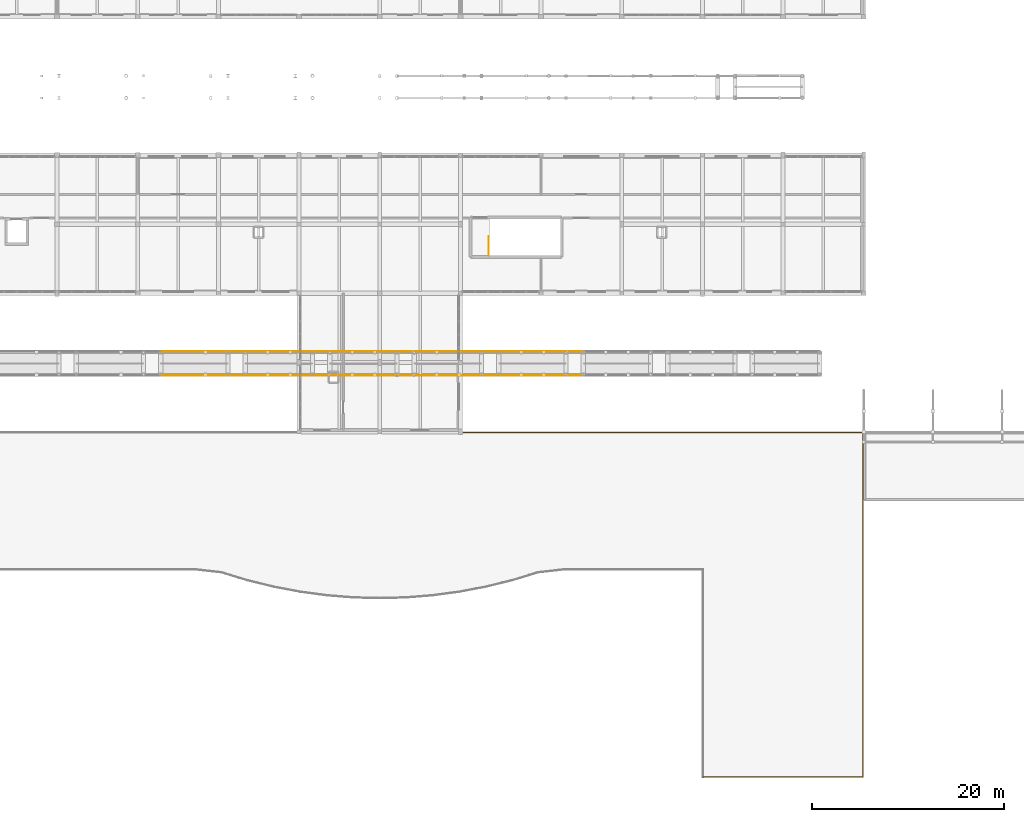
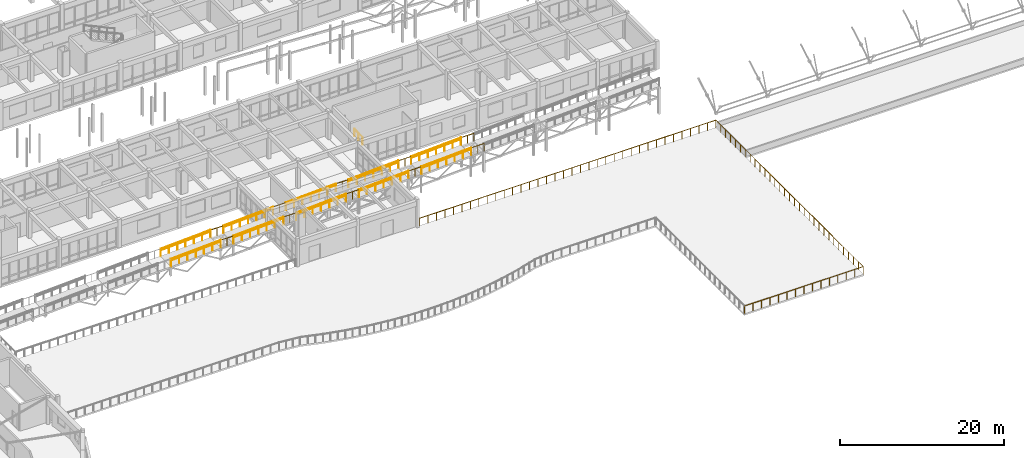
# One storey, part 84 of 90: 32 railings.
"""IFC4 building model written with IfcOpenShell, lengths in metres."""

from ifc_helpers import new_model, si_unit, direction, frame, origin, origin_2d, place, context, subcontext, project, spatial, circle, extrude, material, layer, layer_set, type_object, element, save


model = new_model("IFC4")

# Units and contexts
model_context = context("Model", 3, precision=1e-05, world=origin(), true_north=direction((0.0, 1.0)))
body_context = subcontext(model_context, "Body", "Model", "MODEL_VIEW")
ifc_project = project(units=[si_unit("LENGTHUNIT", "METRE"), si_unit("AREAUNIT", "SQUARE_METRE"), si_unit("VOLUMEUNIT", "CUBIC_METRE"), si_unit("PLANEANGLEUNIT", "RADIAN"), si_unit("MASSUNIT", "GRAM", prefix="KILO")], contexts=[model_context])

# Site, building, storey
site_placement = place(None, origin())
site = spatial("IfcSite", under=ifc_project, at=site_placement, CompositionType="ELEMENT")
building_placement = place(site_placement, origin())
building = spatial("IfcBuilding", under=site, at=building_placement, Name="Malvenik Polytechnic", CompositionType="ELEMENT")
storey_placement = place(building_placement, frame((0.0, 0.0, 9.300048828125)))
storey = spatial("IfcBuildingStorey", under=building, at=storey_placement, Name="L02", CompositionType="ELEMENT", Elevation=9.300048828125)

# Railings
ifc_material_1 = material(Name="Galvanised powder-coated steel and laminated glass guard 1150mm", Category="steel")
ifc_layer_1 = layer(ifc_material_1, 0.070068359375)
ifc_layer_set_1 = layer_set([ifc_layer_1], Name="Galvanised powder-coated steel and laminated glass guard 1150mm")
railing_type_1 = type_object("IfcRailingType", Name="ARC-RL-BAL-1150", PredefinedType="BALUSTRADE", material=ifc_layer_set_1)
for number, where, name in (
    (1, (61.199951171875, 41.860107421875, 1.39990234375), "Ramp Balustrade RB-01 #5S"),
    (2, (61.199951171875, 44.340087890625, 1.39990234375), "Ramp Balustrade RB-01 #5N"),
):
    element("IfcRailing", number, at=place(storey_placement, frame(where)), inside=storey, type_object=railing_type_1, Name=name, PredefinedType="BALUSTRADE", context=body_context, shape_type="SweptSolid", body=[
        extrude(circle(Radius=0.02392578125, at=origin_2d()), frame((0.0, 0.0, 1.1259765625), z_axis=(0.998751643845, 0.0, 0.049951515669), x_axis=(0.0, 1.0, 0.0)), (0.0, 0.0, 1.0), 7.0087890625),
        extrude(circle(Radius=0.02099609375, at=origin_2d()), origin(), (0.0, 0.0, 1.0), 1.101806640625),
        extrude(circle(Radius=0.02099609375, at=origin_2d()), frame((1.166748046875, 0.0, 0.058349609375)), (0.0, 0.0, 1.0), 1.101806640625),
        extrude(circle(Radius=0.02099609375, at=origin_2d()), frame((2.333251953125, 0.0, 0.11669921875)), (0.0, 0.0, 1.0), 1.101806640625),
        extrude(circle(Radius=0.02099609375, at=origin_2d()), frame((3.5, 0.0, 0.175048828125)), (0.0, 0.0, 1.0), 1.101806640625),
        extrude(circle(Radius=0.02099609375, at=origin_2d()), frame((4.666748046875, 0.0, 0.2333984375)), (0.0, 0.0, 1.0), 1.101806640625),
        extrude(circle(Radius=0.02099609375, at=origin_2d()), frame((5.833251953125, 0.0, 0.291748046875)), (0.0, 0.0, 1.0), 1.101806640625),
        extrude(circle(Radius=0.02099609375, at=origin_2d()), frame((7.0, 0.0, 0.35009765625)), (0.0, 0.0, 1.0), 1.101806640625),
    ])
for number, where, name in (
    (3, (68.199951171875, 41.860107421875, 1.75), "Ramp Landing Balustrade RB-01 #5S"),
    (4, (68.199951171875, 44.340087890625, 1.75), "Ramp Landing Balustrade RB-01 #5N"),
):
    element("IfcRailing", number, at=place(storey_placement, frame(where)), inside=storey, type_object=railing_type_1, Name=name, PredefinedType="BALUSTRADE", context=body_context, shape_type="SweptSolid", body=[
        extrude(circle(Radius=0.02392578125, at=origin_2d()), frame((0.0, 0.0, 1.1259765625), z_axis=(1.0, 0.0, 0.0), x_axis=(0.0, 1.0, 0.0)), (0.0, 0.0, 1.0), 1.800048828125),
        extrude(circle(Radius=0.02099609375, at=origin_2d()), origin(), (0.0, 0.0, 1.0), 1.101806640625),
        extrude(circle(Radius=0.02099609375, at=origin_2d()), frame((0.89990234375, 0.0, 0.0)), (0.0, 0.0, 1.0), 1.101806640625),
        extrude(circle(Radius=0.02099609375, at=origin_2d()), frame((1.800048828125, 0.0, 0.0)), (0.0, 0.0, 1.0), 1.101806640625),
    ])
for number, where, name in (
    (5, (70.0, 41.860107421875, 1.75), "Ramp Balustrade RB-01 #6S"),
    (6, (70.0, 44.340087890625, 1.75), "Ramp Balustrade RB-01 #6N"),
):
    element("IfcRailing", number, at=place(storey_placement, frame(where)), inside=storey, type_object=railing_type_1, Name=name, PredefinedType="BALUSTRADE", context=body_context, shape_type="SweptSolid", body=[
        extrude(circle(Radius=0.02392578125, at=origin_2d()), frame((0.0, 0.0, 1.1259765625), z_axis=(0.998753381067, 0.0, 0.049916768801), x_axis=(0.0, 1.0, 0.0)), (0.0, 0.0, 1.0), 7.0087890625),
        extrude(circle(Radius=0.02099609375, at=origin_2d()), origin(), (0.0, 0.0, 1.0), 1.101806640625),
        extrude(circle(Radius=0.02099609375, at=origin_2d()), frame((1.166748046875, 0.0, 0.058349609375)), (0.0, 0.0, 1.0), 1.101806640625),
        extrude(circle(Radius=0.02099609375, at=origin_2d()), frame((2.333251953125, 0.0, 0.11669921875)), (0.0, 0.0, 1.0), 1.101806640625),
        extrude(circle(Radius=0.02099609375, at=origin_2d()), frame((3.5, 0.0, 0.1748046875)), (0.0, 0.0, 1.0), 1.101806640625),
        extrude(circle(Radius=0.02099609375, at=origin_2d()), frame((4.666748046875, 0.0, 0.233154296875)), (0.0, 0.0, 1.0), 1.101806640625),
        extrude(circle(Radius=0.02099609375, at=origin_2d()), frame((5.833251953125, 0.0, 0.29150390625)), (0.0, 0.0, 1.0), 1.101806640625),
        extrude(circle(Radius=0.02099609375, at=origin_2d()), frame((7.0, 0.0, 0.349853515625)), (0.0, 0.0, 1.0), 1.101806640625),
    ])
for number, where, name in (
    (7, (77.0, 41.860107421875, 2.099853515625), "Ramp Landing Balustrade RB-01 #6S"),
    (8, (77.0, 44.340087890625, 2.099853515625), "Ramp Landing Balustrade RB-01 #6N"),
):
    element("IfcRailing", number, at=place(storey_placement, frame(where)), inside=storey, type_object=railing_type_1, Name=name, PredefinedType="BALUSTRADE", context=body_context, shape_type="SweptSolid", body=[
        extrude(circle(Radius=0.02392578125, at=origin_2d()), frame((0.0, 0.0, 1.1259765625), z_axis=(1.0, 0.0, 0.0), x_axis=(0.0, 1.0, 0.0)), (0.0, 0.0, 1.0), 1.800048828125),
        extrude(circle(Radius=0.02099609375, at=origin_2d()), origin(), (0.0, 0.0, 1.0), 1.101806640625),
        extrude(circle(Radius=0.02099609375, at=origin_2d()), frame((0.89990234375, 0.0, 0.0)), (0.0, 0.0, 1.0), 1.101806640625),
        extrude(circle(Radius=0.02099609375, at=origin_2d()), frame((1.800048828125, 0.0, 0.0)), (0.0, 0.0, 1.0), 1.101806640625),
    ])
for number, where, name in (
    (9, (78.800048828125, 41.860107421875, 2.099853515625), "Ramp Balustrade RB-01 #7S"),
    (10, (78.800048828125, 44.340087890625, 2.099853515625), "Ramp Balustrade RB-01 #7N"),
):
    element("IfcRailing", number, at=place(storey_placement, frame(where)), inside=storey, type_object=railing_type_1, Name=name, PredefinedType="BALUSTRADE", context=body_context, shape_type="SweptSolid", body=[
        extrude(circle(Radius=0.02392578125, at=origin_2d()), frame((0.0, 0.0, 1.1259765625), z_axis=(0.998751643845, 0.0, 0.049951515669), x_axis=(0.0, 1.0, 0.0)), (0.0, 0.0, 1.0), 7.0087890625),
        extrude(circle(Radius=0.02099609375, at=origin_2d()), origin(), (0.0, 0.0, 1.0), 1.101806640625),
        extrude(circle(Radius=0.02099609375, at=origin_2d()), frame((1.166748046875, 0.0, 0.058349609375)), (0.0, 0.0, 1.0), 1.101806640625),
        extrude(circle(Radius=0.02099609375, at=origin_2d()), frame((2.333251953125, 0.0, 0.11669921875)), (0.0, 0.0, 1.0), 1.101806640625),
        extrude(circle(Radius=0.02099609375, at=origin_2d()), frame((3.5, 0.0, 0.175048828125)), (0.0, 0.0, 1.0), 1.101806640625),
        extrude(circle(Radius=0.02099609375, at=origin_2d()), frame((4.666748046875, 0.0, 0.2333984375)), (0.0, 0.0, 1.0), 1.101806640625),
        extrude(circle(Radius=0.02099609375, at=origin_2d()), frame((5.833251953125, 0.0, 0.291748046875)), (0.0, 0.0, 1.0), 1.101806640625),
        extrude(circle(Radius=0.02099609375, at=origin_2d()), frame((7.0, 0.0, 0.35009765625)), (0.0, 0.0, 1.0), 1.101806640625),
    ])
for number, where, name in (
    (11, (85.800048828125, 41.860107421875, 2.449951171875), "Ramp Landing Balustrade RB-01 #7S"),
    (12, (85.800048828125, 44.340087890625, 2.449951171875), "Ramp Landing Balustrade RB-01 #7N"),
):
    element("IfcRailing", number, at=place(storey_placement, frame(where)), inside=storey, type_object=railing_type_1, Name=name, PredefinedType="BALUSTRADE", context=body_context, shape_type="SweptSolid", body=[
        extrude(circle(Radius=0.02392578125, at=origin_2d()), frame((0.0, 0.0, 1.1259765625), z_axis=(1.0, 0.0, 0.0), x_axis=(0.0, 1.0, 0.0)), (0.0, 0.0, 1.0), 1.800048828125),
        extrude(circle(Radius=0.02099609375, at=origin_2d()), origin(), (0.0, 0.0, 1.0), 1.101806640625),
        extrude(circle(Radius=0.02099609375, at=origin_2d()), frame((0.89990234375, 0.0, 0.0)), (0.0, 0.0, 1.0), 1.101806640625),
        extrude(circle(Radius=0.02099609375, at=origin_2d()), frame((1.800048828125, 0.0, 0.0)), (0.0, 0.0, 1.0), 1.101806640625),
    ])
for number, where, name in (
    (13, (87.60009765625, 41.860107421875, 2.449951171875), "Ramp Balustrade RB-01 #8S"),
    (14, (87.60009765625, 44.340087890625, 2.449951171875), "Ramp Balustrade RB-01 #8N"),
):
    element("IfcRailing", number, at=place(storey_placement, frame(where)), inside=storey, type_object=railing_type_1, Name=name, PredefinedType="BALUSTRADE", context=body_context, shape_type="SweptSolid", body=[
        extrude(circle(Radius=0.02392578125, at=origin_2d()), frame((0.0, 0.0, 1.1259765625), z_axis=(0.998751643845, 0.0, 0.049951515669), x_axis=(0.0, 1.0, 0.0)), (0.0, 0.0, 1.0), 7.0087890625),
        extrude(circle(Radius=0.02099609375, at=origin_2d()), origin(), (0.0, 0.0, 1.0), 1.101806640625),
        extrude(circle(Radius=0.02099609375, at=origin_2d()), frame((1.166748046875, 0.0, 0.058349609375)), (0.0, 0.0, 1.0), 1.101806640625),
        extrude(circle(Radius=0.02099609375, at=origin_2d()), frame((2.333251953125, 0.0, 0.11669921875)), (0.0, 0.0, 1.0), 1.101806640625),
        extrude(circle(Radius=0.02099609375, at=origin_2d()), frame((3.5, 0.0, 0.175048828125)), (0.0, 0.0, 1.0), 1.101806640625),
        extrude(circle(Radius=0.02099609375, at=origin_2d()), frame((4.666748046875, 0.0, 0.2333984375)), (0.0, 0.0, 1.0), 1.101806640625),
        extrude(circle(Radius=0.02099609375, at=origin_2d()), frame((5.833251953125, 0.0, 0.291748046875)), (0.0, 0.0, 1.0), 1.101806640625),
        extrude(circle(Radius=0.02099609375, at=origin_2d()), frame((7.0, 0.0, 0.35009765625)), (0.0, 0.0, 1.0), 1.101806640625),
    ])
for number, where, name in (
    (15, (94.60009765625, 41.860107421875, 2.800048828125), "Ramp Landing Balustrade RB-01 #8S"),
    (16, (94.60009765625, 44.340087890625, 2.800048828125), "Ramp Landing Balustrade RB-01 #8N"),
):
    element("IfcRailing", number, at=place(storey_placement, frame(where)), inside=storey, type_object=railing_type_1, Name=name, PredefinedType="BALUSTRADE", context=body_context, shape_type="SweptSolid", body=[
        extrude(circle(Radius=0.02392578125, at=origin_2d()), frame((0.0, 0.0, 1.1259765625), z_axis=(1.0, 0.0, 0.0), x_axis=(0.0, 1.0, 0.0)), (0.0, 0.0, 1.0), 1.7998046875),
        extrude(circle(Radius=0.02099609375, at=origin_2d()), origin(), (0.0, 0.0, 1.0), 1.101806640625),
        extrude(circle(Radius=0.02099609375, at=origin_2d()), frame((0.89990234375, 0.0, 0.0)), (0.0, 0.0, 1.0), 1.101806640625),
        extrude(circle(Radius=0.02099609375, at=origin_2d()), frame((1.7998046875, 0.0, 0.0)), (0.0, 0.0, 1.0), 1.101806640625),
    ])
for number, where, name in (
    (17, (96.39990234375, 41.860107421875, 2.800048828125), "Ramp Balustrade RB-01 #9S"),
    (18, (96.39990234375, 44.340087890625, 2.800048828125), "Ramp Balustrade RB-01 #9N"),
):
    element("IfcRailing", number, at=place(storey_placement, frame(where)), inside=storey, type_object=railing_type_1, Name=name, PredefinedType="BALUSTRADE", context=body_context, shape_type="SweptSolid", body=[
        extrude(circle(Radius=0.02392578125, at=origin_2d()), frame((0.0, 0.0, 1.1259765625), z_axis=(0.998753381067, 0.0, 0.049916768801), x_axis=(0.0, 1.0, 0.0)), (0.0, 0.0, 1.0), 7.0087890625),
        extrude(circle(Radius=0.02099609375, at=origin_2d()), origin(), (0.0, 0.0, 1.0), 1.101806640625),
        extrude(circle(Radius=0.02099609375, at=origin_2d()), frame((1.166748046875, 0.0, 0.058349609375)), (0.0, 0.0, 1.0), 1.101806640625),
        extrude(circle(Radius=0.02099609375, at=origin_2d()), frame((2.333251953125, 0.0, 0.11669921875)), (0.0, 0.0, 1.0), 1.101806640625),
        extrude(circle(Radius=0.02099609375, at=origin_2d()), frame((3.5, 0.0, 0.1748046875)), (0.0, 0.0, 1.0), 1.101806640625),
        extrude(circle(Radius=0.02099609375, at=origin_2d()), frame((4.666748046875, 0.0, 0.233154296875)), (0.0, 0.0, 1.0), 1.101806640625),
        extrude(circle(Radius=0.02099609375, at=origin_2d()), frame((5.833251953125, 0.0, 0.29150390625)), (0.0, 0.0, 1.0), 1.101806640625),
        extrude(circle(Radius=0.02099609375, at=origin_2d()), frame((7.0, 0.0, 0.349853515625)), (0.0, 0.0, 1.0), 1.101806640625),
    ])
for number, where, name in (
    (19, (103.39990234375, 41.860107421875, 3.14990234375), "Ramp Landing Balustrade RB-01 #9S"),
    (20, (103.39990234375, 44.340087890625, 3.14990234375), "Ramp Landing Balustrade RB-01 #9N"),
):
    element("IfcRailing", number, at=place(storey_placement, frame(where)), inside=storey, type_object=railing_type_1, Name=name, PredefinedType="BALUSTRADE", context=body_context, shape_type="SweptSolid", body=[
        extrude(circle(Radius=0.02392578125, at=origin_2d()), frame((0.0, 0.0, 1.1259765625), z_axis=(1.0, 0.0, 0.0), x_axis=(0.0, 1.0, 0.0)), (0.0, 0.0, 1.0), 1.800048828125),
        extrude(circle(Radius=0.02099609375, at=origin_2d()), origin(), (0.0, 0.0, 1.0), 1.101806640625),
        extrude(circle(Radius=0.02099609375, at=origin_2d()), frame((0.89990234375, 0.0, 0.0)), (0.0, 0.0, 1.0), 1.101806640625),
        extrude(circle(Radius=0.02099609375, at=origin_2d()), frame((1.800048828125, 0.0, 0.0)), (0.0, 0.0, 1.0), 1.101806640625),
    ])
railing_1_placement = place(storey_placement, frame((92.714111328125, 35.93994140625, 0.0)))
element("IfcRailing", 21, at=railing_1_placement, inside=storey, type_object=railing_type_1, Name="Terrace Perimeter Balustrade L02 #13", PredefinedType="BALUSTRADE", context=body_context, shape_type="SweptSolid", body=[
    extrude(circle(Radius=0.02392578125, at=origin_2d()), frame((0.0, 0.0, 1.1259765625), z_axis=(1.0, 0.0, 0.0), x_axis=(0.0, 1.0, 0.0)), (0.0, 0.0, 1.0), 41.6259765625),
    extrude(circle(Radius=0.02392578125, at=origin_2d()), frame((41.6259765625, 0.0, 1.1259765625), z_axis=(0.0, -1.0, 0.0), x_axis=(1.0, 0.0, 0.0)), (0.0, 0.0, 1.0), 35.8798828125),
    extrude(circle(Radius=0.02392578125, at=origin_2d()), frame((41.6259765625, -35.8798828125, 1.1259765625), z_axis=(-1.0, 0.0, 0.0), x_axis=(0.0, -1.0, 0.0)), (0.0, 0.0, 1.0), 16.68017578125),
    extrude(circle(Radius=0.02099609375, at=origin_2d()), origin(), (0.0, 0.0, 1.0), 1.101806640625),
    extrude(circle(Radius=0.02099609375, at=origin_2d()), frame((1.189208984375, 0.0, 0.0)), (0.0, 0.0, 1.0), 1.101806640625),
    extrude(circle(Radius=0.02099609375, at=origin_2d()), frame((2.378662109375, 0.0, 0.0)), (0.0, 0.0, 1.0), 1.101806640625),
    extrude(circle(Radius=0.02099609375, at=origin_2d()), frame((3.56787109375, 0.0, 0.0)), (0.0, 0.0, 1.0), 1.101806640625),
    extrude(circle(Radius=0.02099609375, at=origin_2d()), frame((4.75732421875, 0.0, 0.0)), (0.0, 0.0, 1.0), 1.101806640625),
    extrude(circle(Radius=0.02099609375, at=origin_2d()), frame((5.946533203125, 0.0, 0.0)), (0.0, 0.0, 1.0), 1.101806640625),
    extrude(circle(Radius=0.02099609375, at=origin_2d()), frame((7.135986328125, 0.0, 0.0)), (0.0, 0.0, 1.0), 1.101806640625),
    extrude(circle(Radius=0.02099609375, at=origin_2d()), frame((8.3251953125, 0.0, 0.0)), (0.0, 0.0, 1.0), 1.101806640625),
    extrude(circle(Radius=0.02099609375, at=origin_2d()), frame((9.514404296875, 0.0, 0.0)), (0.0, 0.0, 1.0), 1.101806640625),
    extrude(circle(Radius=0.02099609375, at=origin_2d()), frame((10.703857421875, 0.0, 0.0)), (0.0, 0.0, 1.0), 1.101806640625),
    extrude(circle(Radius=0.02099609375, at=origin_2d()), frame((11.89306640625, 0.0, 0.0)), (0.0, 0.0, 1.0), 1.101806640625),
    extrude(circle(Radius=0.02099609375, at=origin_2d()), frame((13.08251953125, 0.0, 0.0)), (0.0, 0.0, 1.0), 1.101806640625),
    extrude(circle(Radius=0.02099609375, at=origin_2d()), frame((14.271728515625, 0.0, 0.0)), (0.0, 0.0, 1.0), 1.101806640625),
    extrude(circle(Radius=0.02099609375, at=origin_2d()), frame((15.461181640625, 0.0, 0.0)), (0.0, 0.0, 1.0), 1.101806640625),
    extrude(circle(Radius=0.02099609375, at=origin_2d()), frame((16.650390625, 0.0, 0.0)), (0.0, 0.0, 1.0), 1.101806640625),
    extrude(circle(Radius=0.02099609375, at=origin_2d()), frame((17.839599609375, 0.0, 0.0)), (0.0, 0.0, 1.0), 1.101806640625),
    extrude(circle(Radius=0.02099609375, at=origin_2d()), frame((19.029052734375, 0.0, 0.0)), (0.0, 0.0, 1.0), 1.101806640625),
    extrude(circle(Radius=0.02099609375, at=origin_2d()), frame((20.21826171875, 0.0, 0.0)), (0.0, 0.0, 1.0), 1.101806640625),
    extrude(circle(Radius=0.02099609375, at=origin_2d()), frame((21.40771484375, 0.0, 0.0)), (0.0, 0.0, 1.0), 1.101806640625),
    extrude(circle(Radius=0.02099609375, at=origin_2d()), frame((22.596923828125, 0.0, 0.0)), (0.0, 0.0, 1.0), 1.101806640625),
    extrude(circle(Radius=0.02099609375, at=origin_2d()), frame((23.786376953125, 0.0, 0.0)), (0.0, 0.0, 1.0), 1.101806640625),
    extrude(circle(Radius=0.02099609375, at=origin_2d()), frame((24.9755859375, 0.0, 0.0)), (0.0, 0.0, 1.0), 1.101806640625),
    extrude(circle(Radius=0.02099609375, at=origin_2d()), frame((26.164794921875, 0.0, 0.0)), (0.0, 0.0, 1.0), 1.101806640625),
    extrude(circle(Radius=0.02099609375, at=origin_2d()), frame((27.354248046875, 0.0, 0.0)), (0.0, 0.0, 1.0), 1.101806640625),
    extrude(circle(Radius=0.02099609375, at=origin_2d()), frame((28.54345703125, 0.0, 0.0)), (0.0, 0.0, 1.0), 1.101806640625),
    extrude(circle(Radius=0.02099609375, at=origin_2d()), frame((29.73291015625, 0.0, 0.0)), (0.0, 0.0, 1.0), 1.101806640625),
    extrude(circle(Radius=0.02099609375, at=origin_2d()), frame((30.922119140625, 0.0, 0.0)), (0.0, 0.0, 1.0), 1.101806640625),
    extrude(circle(Radius=0.02099609375, at=origin_2d()), frame((32.111572265625, 0.0, 0.0)), (0.0, 0.0, 1.0), 1.101806640625),
    extrude(circle(Radius=0.02099609375, at=origin_2d()), frame((33.30078125, 0.0, 0.0)), (0.0, 0.0, 1.0), 1.101806640625),
    extrude(circle(Radius=0.02099609375, at=origin_2d()), frame((34.489990234375, 0.0, 0.0)), (0.0, 0.0, 1.0), 1.101806640625),
    extrude(circle(Radius=0.02099609375, at=origin_2d()), frame((35.679443359375, 0.0, 0.0)), (0.0, 0.0, 1.0), 1.101806640625),
    extrude(circle(Radius=0.02099609375, at=origin_2d()), frame((36.86865234375, 0.0, 0.0)), (0.0, 0.0, 1.0), 1.101806640625),
    extrude(circle(Radius=0.02099609375, at=origin_2d()), frame((38.05810546875, 0.0, 0.0)), (0.0, 0.0, 1.0), 1.101806640625),
    extrude(circle(Radius=0.02099609375, at=origin_2d()), frame((39.247314453125, 0.0, 0.0)), (0.0, 0.0, 1.0), 1.101806640625),
    extrude(circle(Radius=0.02099609375, at=origin_2d()), frame((40.436767578125, 0.0, 0.0)), (0.0, 0.0, 1.0), 1.101806640625),
    extrude(circle(Radius=0.02099609375, at=origin_2d()), frame((41.6259765625, 0.0, 0.0)), (0.0, 0.0, 1.0), 1.101806640625),
    extrude(circle(Radius=0.02099609375, at=origin_2d()), frame((41.6259765625, -1.196044921875, 0.0)), (0.0, 0.0, 1.0), 1.101806640625),
    extrude(circle(Radius=0.02099609375, at=origin_2d()), frame((41.6259765625, -2.39208984375, 0.0)), (0.0, 0.0, 1.0), 1.101806640625),
    extrude(circle(Radius=0.02099609375, at=origin_2d()), frame((41.6259765625, -3.587890625, 0.0)), (0.0, 0.0, 1.0), 1.101806640625),
    extrude(circle(Radius=0.02099609375, at=origin_2d()), frame((41.6259765625, -4.783935546875, 0.0)), (0.0, 0.0, 1.0), 1.101806640625),
    extrude(circle(Radius=0.02099609375, at=origin_2d()), frame((41.6259765625, -5.97998046875, 0.0)), (0.0, 0.0, 1.0), 1.101806640625),
    extrude(circle(Radius=0.02099609375, at=origin_2d()), frame((41.6259765625, -7.176025390625, 0.0)), (0.0, 0.0, 1.0), 1.101806640625),
    extrude(circle(Radius=0.02099609375, at=origin_2d()), frame((41.6259765625, -8.3720703125, 0.0)), (0.0, 0.0, 1.0), 1.101806640625),
    extrude(circle(Radius=0.02099609375, at=origin_2d()), frame((41.6259765625, -9.56787109375, 0.0)), (0.0, 0.0, 1.0), 1.101806640625),
    extrude(circle(Radius=0.02099609375, at=origin_2d()), frame((41.6259765625, -10.763916015625, 0.0)), (0.0, 0.0, 1.0), 1.101806640625),
    extrude(circle(Radius=0.02099609375, at=origin_2d()), frame((41.6259765625, -11.9599609375, 0.0)), (0.0, 0.0, 1.0), 1.101806640625),
    extrude(circle(Radius=0.02099609375, at=origin_2d()), frame((41.6259765625, -13.156005859375, 0.0)), (0.0, 0.0, 1.0), 1.101806640625),
    extrude(circle(Radius=0.02099609375, at=origin_2d()), frame((41.6259765625, -14.35205078125, 0.0)), (0.0, 0.0, 1.0), 1.101806640625),
    extrude(circle(Radius=0.02099609375, at=origin_2d()), frame((41.6259765625, -15.5478515625, 0.0)), (0.0, 0.0, 1.0), 1.101806640625),
    extrude(circle(Radius=0.02099609375, at=origin_2d()), frame((41.6259765625, -16.743896484375, 0.0)), (0.0, 0.0, 1.0), 1.101806640625),
    extrude(circle(Radius=0.02099609375, at=origin_2d()), frame((41.6259765625, -17.93994140625, 0.0)), (0.0, 0.0, 1.0), 1.101806640625),
    extrude(circle(Radius=0.02099609375, at=origin_2d()), frame((41.6259765625, -19.135986328125, 0.0)), (0.0, 0.0, 1.0), 1.101806640625),
    extrude(circle(Radius=0.02099609375, at=origin_2d()), frame((41.6259765625, -20.33203125, 0.0)), (0.0, 0.0, 1.0), 1.101806640625),
    extrude(circle(Radius=0.02099609375, at=origin_2d()), frame((41.6259765625, -21.52783203125, 0.0)), (0.0, 0.0, 1.0), 1.101806640625),
    extrude(circle(Radius=0.02099609375, at=origin_2d()), frame((41.6259765625, -22.723876953125, 0.0)), (0.0, 0.0, 1.0), 1.101806640625),
    extrude(circle(Radius=0.02099609375, at=origin_2d()), frame((41.6259765625, -23.919921875, 0.0)), (0.0, 0.0, 1.0), 1.101806640625),
    extrude(circle(Radius=0.02099609375, at=origin_2d()), frame((41.6259765625, -25.115966796875, 0.0)), (0.0, 0.0, 1.0), 1.101806640625),
    extrude(circle(Radius=0.02099609375, at=origin_2d()), frame((41.6259765625, -26.31201171875, 0.0)), (0.0, 0.0, 1.0), 1.101806640625),
    extrude(circle(Radius=0.02099609375, at=origin_2d()), frame((41.6259765625, -27.5078125, 0.0)), (0.0, 0.0, 1.0), 1.101806640625),
    extrude(circle(Radius=0.02099609375, at=origin_2d()), frame((41.6259765625, -28.703857421875, 0.0)), (0.0, 0.0, 1.0), 1.101806640625),
    extrude(circle(Radius=0.02099609375, at=origin_2d()), frame((41.6259765625, -29.89990234375, 0.0)), (0.0, 0.0, 1.0), 1.101806640625),
    extrude(circle(Radius=0.02099609375, at=origin_2d()), frame((41.6259765625, -31.095947265625, 0.0)), (0.0, 0.0, 1.0), 1.101806640625),
    extrude(circle(Radius=0.02099609375, at=origin_2d()), frame((41.6259765625, -32.2919921875, 0.0)), (0.0, 0.0, 1.0), 1.101806640625),
    extrude(circle(Radius=0.02099609375, at=origin_2d()), frame((41.6259765625, -33.48779296875, 0.0)), (0.0, 0.0, 1.0), 1.101806640625),
    extrude(circle(Radius=0.02099609375, at=origin_2d()), frame((41.6259765625, -34.683837890625, 0.0)), (0.0, 0.0, 1.0), 1.101806640625),
    extrude(circle(Radius=0.02099609375, at=origin_2d()), frame((41.6259765625, -35.8798828125, 0.0)), (0.0, 0.0, 1.0), 1.101806640625),
    extrude(circle(Radius=0.02099609375, at=origin_2d()), frame((40.4345703125, -35.8798828125, 0.0)), (0.0, 0.0, 1.0), 1.101806640625),
    extrude(circle(Radius=0.02099609375, at=origin_2d()), frame((39.2431640625, -35.8798828125, 0.0)), (0.0, 0.0, 1.0), 1.101806640625),
    extrude(circle(Radius=0.02099609375, at=origin_2d()), frame((38.0517578125, -35.8798828125, 0.0)), (0.0, 0.0, 1.0), 1.101806640625),
    extrude(circle(Radius=0.02099609375, at=origin_2d()), frame((36.860107421875, -35.8798828125, 0.0)), (0.0, 0.0, 1.0), 1.101806640625),
    extrude(circle(Radius=0.02099609375, at=origin_2d()), frame((35.668701171875, -35.8798828125, 0.0)), (0.0, 0.0, 1.0), 1.101806640625),
    extrude(circle(Radius=0.02099609375, at=origin_2d()), frame((34.477294921875, -35.8798828125, 0.0)), (0.0, 0.0, 1.0), 1.101806640625),
    extrude(circle(Radius=0.02099609375, at=origin_2d()), frame((33.285888671875, -35.8798828125, 0.0)), (0.0, 0.0, 1.0), 1.101806640625),
    extrude(circle(Radius=0.02099609375, at=origin_2d()), frame((32.094482421875, -35.8798828125, 0.0)), (0.0, 0.0, 1.0), 1.101806640625),
    extrude(circle(Radius=0.02099609375, at=origin_2d()), frame((30.903076171875, -35.8798828125, 0.0)), (0.0, 0.0, 1.0), 1.101806640625),
    extrude(circle(Radius=0.02099609375, at=origin_2d()), frame((29.711669921875, -35.8798828125, 0.0)), (0.0, 0.0, 1.0), 1.101806640625),
    extrude(circle(Radius=0.02099609375, at=origin_2d()), frame((28.52001953125, -35.8798828125, 0.0)), (0.0, 0.0, 1.0), 1.101806640625),
    extrude(circle(Radius=0.02099609375, at=origin_2d()), frame((27.32861328125, -35.8798828125, 0.0)), (0.0, 0.0, 1.0), 1.101806640625),
    extrude(circle(Radius=0.02099609375, at=origin_2d()), frame((26.13720703125, -35.8798828125, 0.0)), (0.0, 0.0, 1.0), 1.101806640625),
    extrude(circle(Radius=0.02099609375, at=origin_2d()), frame((24.94580078125, -35.8798828125, 0.0)), (0.0, 0.0, 1.0), 1.101806640625),
])
ifc_material_2 = material(Name="Brushed stainless steel 1.4301 tubular handrail 50mm", Category="steel")
ifc_layer_2 = layer(ifc_material_2, 0.050048828125)
ifc_layer_set_2 = layer_set([ifc_layer_2], Name="Brushed stainless steel 1.4301 tubular handrail 50mm")
railing_type_2 = type_object("IfcRailingType", Name="ARC-RL-HR-920", PredefinedType="HANDRAIL", material=ifc_layer_set_2)
for number, where, name in (
    (22, (61.199951171875, 41.860107421875, 1.39990234375), "Ramp Handrail RB-01 #5S"),
    (23, (61.199951171875, 44.340087890625, 1.39990234375), "Ramp Handrail RB-01 #5N"),
):
    element("IfcRailing", number, at=place(storey_placement, frame(where)), inside=storey, type_object=railing_type_2, Name=name, PredefinedType="HANDRAIL", context=body_context, shape_type="SweptSolid", body=[
        extrude(circle(Radius=0.02392578125, at=origin_2d()), frame((0.0, 0.0, 0.89599609375), z_axis=(0.998751643845, 0.0, 0.049951515669), x_axis=(0.0, 1.0, 0.0)), (0.0, 0.0, 1.0), 7.0087890625),
        extrude(circle(Radius=0.02099609375, at=origin_2d()), origin(), (0.0, 0.0, 1.0), 0.871826171875),
        extrude(circle(Radius=0.02099609375, at=origin_2d()), frame((1.166748046875, 0.0, 0.058349609375)), (0.0, 0.0, 1.0), 0.871826171875),
        extrude(circle(Radius=0.02099609375, at=origin_2d()), frame((2.333251953125, 0.0, 0.11669921875)), (0.0, 0.0, 1.0), 0.871826171875),
        extrude(circle(Radius=0.02099609375, at=origin_2d()), frame((3.5, 0.0, 0.175048828125)), (0.0, 0.0, 1.0), 0.871826171875),
        extrude(circle(Radius=0.02099609375, at=origin_2d()), frame((4.666748046875, 0.0, 0.2333984375)), (0.0, 0.0, 1.0), 0.871826171875),
        extrude(circle(Radius=0.02099609375, at=origin_2d()), frame((5.833251953125, 0.0, 0.291748046875)), (0.0, 0.0, 1.0), 0.871826171875),
        extrude(circle(Radius=0.02099609375, at=origin_2d()), frame((7.0, 0.0, 0.35009765625)), (0.0, 0.0, 1.0), 0.871826171875),
    ])
for number, where, name in (
    (24, (70.0, 41.860107421875, 1.75), "Ramp Handrail RB-01 #6S"),
    (25, (70.0, 44.340087890625, 1.75), "Ramp Handrail RB-01 #6N"),
):
    element("IfcRailing", number, at=place(storey_placement, frame(where)), inside=storey, type_object=railing_type_2, Name=name, PredefinedType="HANDRAIL", context=body_context, shape_type="SweptSolid", body=[
        extrude(circle(Radius=0.02392578125, at=origin_2d()), frame((0.0, 0.0, 0.89599609375), z_axis=(0.998753381067, 0.0, 0.049916768801), x_axis=(0.0, 1.0, 0.0)), (0.0, 0.0, 1.0), 7.0087890625),
        extrude(circle(Radius=0.02099609375, at=origin_2d()), origin(), (0.0, 0.0, 1.0), 0.871826171875),
        extrude(circle(Radius=0.02099609375, at=origin_2d()), frame((1.166748046875, 0.0, 0.058349609375)), (0.0, 0.0, 1.0), 0.871826171875),
        extrude(circle(Radius=0.02099609375, at=origin_2d()), frame((2.333251953125, 0.0, 0.11669921875)), (0.0, 0.0, 1.0), 0.871826171875),
        extrude(circle(Radius=0.02099609375, at=origin_2d()), frame((3.5, 0.0, 0.1748046875)), (0.0, 0.0, 1.0), 0.871826171875),
        extrude(circle(Radius=0.02099609375, at=origin_2d()), frame((4.666748046875, 0.0, 0.233154296875)), (0.0, 0.0, 1.0), 0.871826171875),
        extrude(circle(Radius=0.02099609375, at=origin_2d()), frame((5.833251953125, 0.0, 0.29150390625)), (0.0, 0.0, 1.0), 0.871826171875),
        extrude(circle(Radius=0.02099609375, at=origin_2d()), frame((7.0, 0.0, 0.349853515625)), (0.0, 0.0, 1.0), 0.871826171875),
    ])
for number, where, name in (
    (26, (78.800048828125, 41.860107421875, 2.099853515625), "Ramp Handrail RB-01 #7S"),
    (27, (78.800048828125, 44.340087890625, 2.099853515625), "Ramp Handrail RB-01 #7N"),
    (28, (87.60009765625, 41.860107421875, 2.449951171875), "Ramp Handrail RB-01 #8S"),
    (29, (87.60009765625, 44.340087890625, 2.449951171875), "Ramp Handrail RB-01 #8N"),
):
    element("IfcRailing", number, at=place(storey_placement, frame(where)), inside=storey, type_object=railing_type_2, Name=name, PredefinedType="HANDRAIL", context=body_context, shape_type="SweptSolid", body=[
        extrude(circle(Radius=0.02392578125, at=origin_2d()), frame((0.0, 0.0, 0.89599609375), z_axis=(0.998751643845, 0.0, 0.049951515669), x_axis=(0.0, 1.0, 0.0)), (0.0, 0.0, 1.0), 7.0087890625),
        extrude(circle(Radius=0.02099609375, at=origin_2d()), origin(), (0.0, 0.0, 1.0), 0.871826171875),
        extrude(circle(Radius=0.02099609375, at=origin_2d()), frame((1.166748046875, 0.0, 0.058349609375)), (0.0, 0.0, 1.0), 0.871826171875),
        extrude(circle(Radius=0.02099609375, at=origin_2d()), frame((2.333251953125, 0.0, 0.11669921875)), (0.0, 0.0, 1.0), 0.871826171875),
        extrude(circle(Radius=0.02099609375, at=origin_2d()), frame((3.5, 0.0, 0.175048828125)), (0.0, 0.0, 1.0), 0.871826171875),
        extrude(circle(Radius=0.02099609375, at=origin_2d()), frame((4.666748046875, 0.0, 0.2333984375)), (0.0, 0.0, 1.0), 0.871826171875),
        extrude(circle(Radius=0.02099609375, at=origin_2d()), frame((5.833251953125, 0.0, 0.291748046875)), (0.0, 0.0, 1.0), 0.871826171875),
        extrude(circle(Radius=0.02099609375, at=origin_2d()), frame((7.0, 0.0, 0.35009765625)), (0.0, 0.0, 1.0), 0.871826171875),
    ])
for number, where, name in (
    (30, (96.39990234375, 41.860107421875, 2.800048828125), "Ramp Handrail RB-01 #9S"),
    (31, (96.39990234375, 44.340087890625, 2.800048828125), "Ramp Handrail RB-01 #9N"),
):
    element("IfcRailing", number, at=place(storey_placement, frame(where)), inside=storey, type_object=railing_type_2, Name=name, PredefinedType="HANDRAIL", context=body_context, shape_type="SweptSolid", body=[
        extrude(circle(Radius=0.02392578125, at=origin_2d()), frame((0.0, 0.0, 0.89599609375), z_axis=(0.998753381067, 0.0, 0.049916768801), x_axis=(0.0, 1.0, 0.0)), (0.0, 0.0, 1.0), 7.0087890625),
        extrude(circle(Radius=0.02099609375, at=origin_2d()), origin(), (0.0, 0.0, 1.0), 0.871826171875),
        extrude(circle(Radius=0.02099609375, at=origin_2d()), frame((1.166748046875, 0.0, 0.058349609375)), (0.0, 0.0, 1.0), 0.871826171875),
        extrude(circle(Radius=0.02099609375, at=origin_2d()), frame((2.333251953125, 0.0, 0.11669921875)), (0.0, 0.0, 1.0), 0.871826171875),
        extrude(circle(Radius=0.02099609375, at=origin_2d()), frame((3.5, 0.0, 0.1748046875)), (0.0, 0.0, 1.0), 0.871826171875),
        extrude(circle(Radius=0.02099609375, at=origin_2d()), frame((4.666748046875, 0.0, 0.233154296875)), (0.0, 0.0, 1.0), 0.871826171875),
        extrude(circle(Radius=0.02099609375, at=origin_2d()), frame((5.833251953125, 0.0, 0.29150390625)), (0.0, 0.0, 1.0), 0.871826171875),
        extrude(circle(Radius=0.02099609375, at=origin_2d()), frame((7.0, 0.0, 0.349853515625)), (0.0, 0.0, 1.0), 0.871826171875),
    ])
ifc_material_3 = material(Name="Painted galvanised steel stair well balustrade 1100mm", Category="steel")
ifc_layer_3 = layer(ifc_material_3, 0.050048828125)
ifc_layer_set_3 = layer_set([ifc_layer_3], Name="Painted galvanised steel stair well balustrade 1100mm")
railing_type_3 = type_object("IfcRailingType", Name="ARC-RL-STGD", PredefinedType="BALUSTRADE", material=ifc_layer_set_3)
railing_2_placement = place(storey_placement, frame((95.35009765625, 54.35009765625, 0.0)))
element("IfcRailing", 32, at=railing_2_placement, inside=storey, type_object=railing_type_3, Name="L02 ST-07 top well guard 1", PredefinedType="BALUSTRADE", context=body_context, shape_type="SweptSolid", body=[
    extrude(circle(Radius=0.02392578125, at=origin_2d()), frame((0.0, 0.0, 1.076171875), z_axis=(0.0, 1.0, 0.0), x_axis=(-1.0, 0.0, 0.0)), (0.0, 0.0, 1.0), 2.0),
    extrude(circle(Radius=0.02099609375, at=origin_2d()), origin(), (0.0, 0.0, 1.0), 1.052001953125),
    extrude(circle(Radius=0.02099609375, at=origin_2d()), frame((0.0, 1.0, 0.0)), (0.0, 0.0, 1.0), 1.052001953125),
    extrude(circle(Radius=0.02099609375, at=origin_2d()), frame((0.0, 2.0, 0.0)), (0.0, 0.0, 1.0), 1.052001953125),
])

save(model, "model.ifc")
